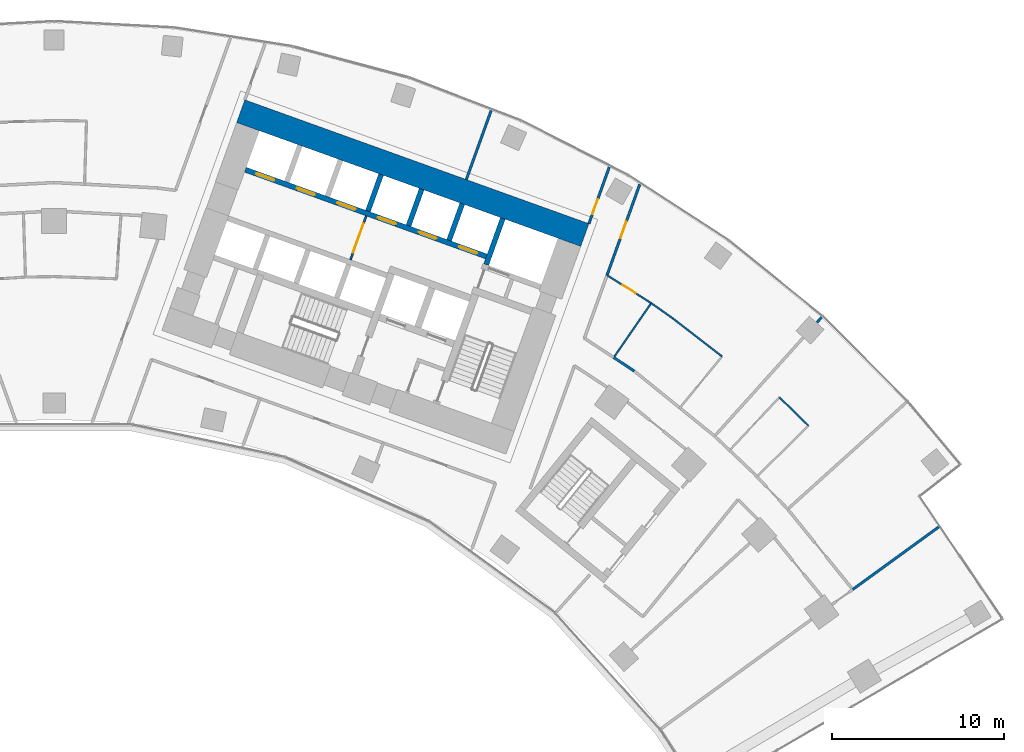
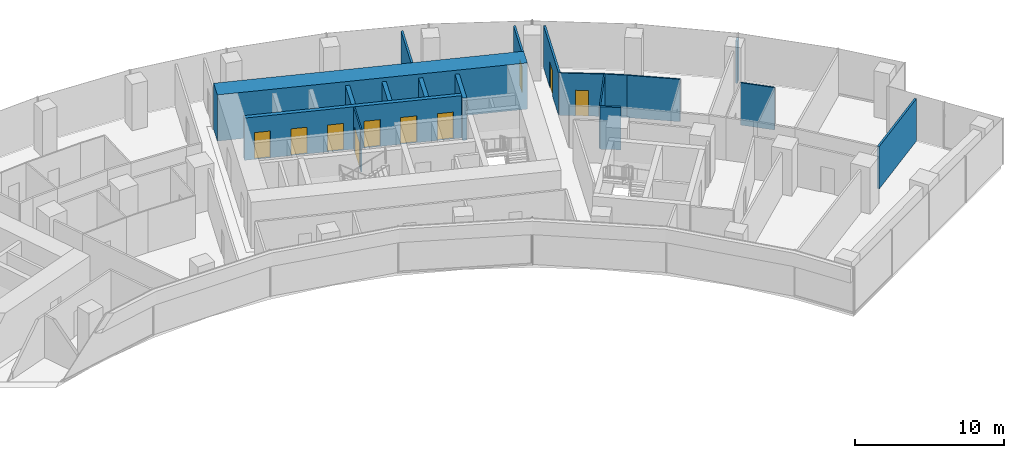
# One storey, part 18 of 21: 18 walls, 10 doors, 10 openings.
"""IFC4 building model written with IfcOpenShell, lengths in metres."""

from ifc_helpers import new_model, si_unit, direction, frame, frame_2d, origin, place, context, subcontext, project, spatial, rectangle, extrude, material, layer, layer_set, type_object, element, fill, save


model = new_model("IFC4")

# Units and contexts
model_context = context("Model", 3, precision=1e-05, world=origin(), true_north=direction((0.0, 1.0)))
body_context = subcontext(model_context, "Body", "Model", "MODEL_VIEW")
ifc_project = project(units=[si_unit("LENGTHUNIT", "METRE"), si_unit("AREAUNIT", "SQUARE_METRE"), si_unit("VOLUMEUNIT", "CUBIC_METRE"), si_unit("PLANEANGLEUNIT", "RADIAN"), si_unit("MASSUNIT", "GRAM", prefix="KILO")], contexts=[model_context])

# Site, building, storey
site_placement = place(None, origin())
site = spatial("IfcSite", under=ifc_project, at=site_placement, CompositionType="ELEMENT")
building_placement = place(site_placement, origin())
building = spatial("IfcBuilding", under=site, at=building_placement, Name="Stone Belt Terrace Tower", CompositionType="ELEMENT")
storey_placement = place(building_placement, frame((0.0, 0.0, 113.60009765625)))
storey = spatial("IfcBuildingStorey", under=building, at=storey_placement, Name="L27", CompositionType="ELEMENT", Elevation=113.60009765625)

# Wall, opening, door
ifc_material_1 = material(Name="Plasterboard partition")
ifc_layer_1 = layer(ifc_material_1, 0.10009765625)
ifc_layer_set_1 = layer_set([ifc_layer_1], Name="Core partition 100")
wall_type_1 = type_object("IfcWallType", Name="Core partition 100", PredefinedType="PARTITIONING", material=ifc_layer_set_1)
wall_1_placement = place(storey_placement, frame((17.17724609375, 52.749755859375, 0.0), z_axis=(0.0, 0.0, 1.0), x_axis=(0.338546555931, 0.940949642365, 0.0)))
wall_1 = element("IfcWall", 1, at=wall_1_placement, inside=storey, type_object=wall_type_1, Name="Core B wall", PredefinedType="PARTITIONING", context=body_context, shape_type="SweptSolid", body=[
    extrude(rectangle(XDim=2.699951171875, YDim=0.10009765625, at=frame_2d((1.35009765625, 0.0))), origin(), (0.0, 0.0, 1.0), 3.47998046875),
])
opening_1_placement = place(wall_1_placement, frame((0.449951171875, 0.0, 0.0)))
opening_1 = element("IfcOpeningElement", 2, at=opening_1_placement, cuts=wall_1, Name="Opening L27-C14", PredefinedType="OPENING", context=body_context, shape_type="SweptSolid", body=[
    extrude(rectangle(XDim=1.800048828125, YDim=2.10009765625, at=frame_2d((0.89990234375, 1.050048828125))), frame((0.0, 0.06005859375, 0.0), z_axis=(0.0, -1.0, 0.0), x_axis=(1.0, 0.0, 0.0)), (0.0, 0.0, 1.0), 0.1201171875),
])
ifc_material_2 = material(Name="Glazed aluminium door leaf", Category="aluminium")
door_type_1 = type_object("IfcDoorType", Name="Lift lobby entrance door 1800", OperationType="DOUBLE_DOOR_SINGLE_SWING", PredefinedType="DOOR", material=ifc_material_2)
door_1_placement = place(opening_1_placement, origin())
door_1 = element("IfcDoor", 3, at=door_1_placement, inside=storey, type_object=door_type_1, Name="Lift lobby double door core B", OperationType="DOUBLE_DOOR_SINGLE_SWING", OverallHeight=2.10009765625, OverallWidth=1.800048828125, PredefinedType="DOOR", context=body_context, shape_type="SweptSolid", body=[
    extrude(rectangle(XDim=1.800048828125, YDim=2.10009765625, at=frame_2d((0.89990234375, 1.050048828125))), frame((0.0, 0.02490234375, 0.0), z_axis=(0.0, -1.0, 0.0), x_axis=(1.0, 0.0, 0.0)), (0.0, 0.0, 1.0), 0.050048828125),
])
fill(opening_1, door_1)

# Walls
ifc_material_3 = material(Name="Concrete B80", Category="concrete")
ifc_layer_2 = layer(ifc_material_3, 1.39990234375)
ifc_layer_set_2 = layer_set([ifc_layer_2], Name="Core wall 1400 B80")
wall_type_2 = type_object("IfcWallType", Name="Core wall 1400 B80", PredefinedType="SHEAR", material=ifc_layer_set_2)
wall_2_placement = place(storey_placement, frame((10.81787109375, 61.362060546875, 0.0), z_axis=(0.0, 0.0, 1.0), x_axis=(0.940919704758, -0.338629752382, 0.0)))
element("IfcWall", 4, at=wall_2_placement, inside=storey, type_object=wall_type_2, Name="Core B wall convex L27", PredefinedType="SHEAR", context=body_context, shape_type="SweptSolid", body=[
    extrude(rectangle(XDim=21.199951171875, YDim=1.39990234375, at=frame_2d((10.60009765625, 0.0))), origin(), (0.0, 0.0, 1.0), 3.7998046875),
])
ifc_layer_3 = layer(ifc_material_3, 0.300048828125)
ifc_layer_set_3 = layer_set([ifc_layer_3], Name="Lift shaft wall 300")
wall_type_3 = type_object("IfcWallType", Name="Lift shaft wall 300", PredefinedType="SHEAR", material=ifc_layer_set_3)
wall_3_placement = place(storey_placement, frame((25.046875, 52.46826171875, 0.0), z_axis=(0.0, 0.0, 1.0), x_axis=(0.338549588058, 0.940948551423, 0.0)))
element("IfcWall", 5, at=wall_3_placement, inside=storey, type_object=wall_type_3, Name="Core B wall", PredefinedType="SHEAR", context=body_context, shape_type="SweptSolid", body=[
    extrude(rectangle(XDim=2.849853515625, YDim=0.300048828125, at=frame_2d((1.4248046875, 0.0))), origin(), (0.0, 0.0, 1.0), 3.47998046875),
])

# Wall, openings, doors
wall_4_placement = place(storey_placement, frame((25.05810546875, 52.9423828125, 0.0), z_axis=(0.0, 0.0, 1.0), x_axis=(-0.940918215764, 0.338633889685, 0.0)))
wall_4 = element("IfcWall", 6, at=wall_4_placement, inside=storey, type_object=wall_type_3, Name="Core B wall", PredefinedType="SHEAR", context=body_context, shape_type="SweptSolid", body=[
    extrude(rectangle(XDim=14.850341796875, YDim=0.300048828125, at=frame_2d((7.42529296875, 0.0))), origin(), (0.0, 0.0, 1.0), 3.47998046875),
])
opening_2_placement = place(wall_4_placement, frame((0.570068359375, 0.0, 0.0)))
opening_2 = element("IfcOpeningElement", 7, at=opening_2_placement, cuts=wall_4, Name="Opening L27-LD10", PredefinedType="OPENING", context=body_context, shape_type="SweptSolid", body=[
    extrude(rectangle(XDim=1.10009765625, YDim=2.199951171875, at=frame_2d((0.550048828125, 1.10009765625))), frame((0.0, 0.159912109375, 0.0), z_axis=(0.0, -1.0, 0.0), x_axis=(1.0, 0.0, 0.0)), (0.0, 0.0, 1.0), 0.320068359375),
])
opening_3_placement = place(wall_4_placement, frame((3.070068359375, 0.0, 0.0)))
opening_3 = element("IfcOpeningElement", 8, at=opening_3_placement, cuts=wall_4, Name="Opening L27-LD11", PredefinedType="OPENING", context=body_context, shape_type="SweptSolid", body=[
    extrude(rectangle(XDim=1.10009765625, YDim=2.199951171875, at=frame_2d((0.550048828125, 1.10009765625))), frame((0.0, 0.159912109375, 0.0), z_axis=(0.0, -1.0, 0.0), x_axis=(1.0, 0.0, 0.0)), (0.0, 0.0, 1.0), 0.320068359375),
])
opening_4_placement = place(wall_4_placement, frame((5.570068359375, 0.0, 0.0)))
opening_4 = element("IfcOpeningElement", 9, at=opening_4_placement, cuts=wall_4, Name="Opening L27-LD12", PredefinedType="OPENING", context=body_context, shape_type="SweptSolid", body=[
    extrude(rectangle(XDim=1.10009765625, YDim=2.199951171875, at=frame_2d((0.550048828125, 1.10009765625))), frame((0.0, 0.159912109375, 0.0), z_axis=(0.0, -1.0, 0.0), x_axis=(1.0, 0.0, 0.0)), (0.0, 0.0, 1.0), 0.320068359375),
])
opening_5_placement = place(wall_4_placement, frame((8.070068359375, 0.0, 0.0)))
opening_5 = element("IfcOpeningElement", 10, at=opening_5_placement, cuts=wall_4, Name="Opening L27-LD13", PredefinedType="OPENING", context=body_context, shape_type="SweptSolid", body=[
    extrude(rectangle(XDim=1.10009765625, YDim=2.199951171875, at=frame_2d((0.550048828125, 1.10009765625))), frame((0.0, 0.159912109375, 0.0), z_axis=(0.0, -1.0, 0.0), x_axis=(1.0, 0.0, 0.0)), (0.0, 0.0, 1.0), 0.320068359375),
])
opening_6_placement = place(wall_4_placement, frame((10.570068359375, 0.0, 0.0)))
opening_6 = element("IfcOpeningElement", 11, at=opening_6_placement, cuts=wall_4, Name="Opening L27-LD14", PredefinedType="OPENING", context=body_context, shape_type="SweptSolid", body=[
    extrude(rectangle(XDim=1.10009765625, YDim=2.199951171875, at=frame_2d((0.550048828125, 1.10009765625))), frame((0.0, 0.159912109375, 0.0), z_axis=(0.0, -1.0, 0.0), x_axis=(1.0, 0.0, 0.0)), (0.0, 0.0, 1.0), 0.320068359375),
])
opening_7_placement = place(wall_4_placement, frame((13.070068359375, 0.0, 0.0)))
opening_7 = element("IfcOpeningElement", 12, at=opening_7_placement, cuts=wall_4, Name="Opening L27-LD15", PredefinedType="OPENING", context=body_context, shape_type="SweptSolid", body=[
    extrude(rectangle(XDim=1.10009765625, YDim=2.199951171875, at=frame_2d((0.550048828125, 1.10009765625))), frame((0.0, 0.159912109375, 0.0), z_axis=(0.0, -1.0, 0.0), x_axis=(1.0, 0.0, 0.0)), (0.0, 0.0, 1.0), 0.320068359375),
])
ifc_material_4 = material(Name="Stainless steel door leaf", Category="steel")
door_type_2 = type_object("IfcDoorType", Name="Landing door 1100", OperationType="SLIDING_TO_LEFT", PredefinedType="DOOR", material=ifc_material_4)
door_2_placement = place(opening_2_placement, origin())
door_2 = element("IfcDoor", 13, at=door_2_placement, inside=storey, type_object=door_type_2, Name="Landing door LR1 core B", OperationType="SLIDING_TO_LEFT", OverallHeight=2.199951171875, OverallWidth=1.10009765625, PredefinedType="DOOR", context=body_context, shape_type="SweptSolid", body=[
    extrude(rectangle(XDim=1.10009765625, YDim=2.199951171875, at=frame_2d((0.550048828125, 1.10009765625))), frame((0.0, 0.02490234375, 0.0), z_axis=(0.0, -1.0, 0.0), x_axis=(1.0, 0.0, 0.0)), (0.0, 0.0, 1.0), 0.050048828125),
])
fill(opening_2, door_2)
door_3_placement = place(opening_3_placement, origin())
door_3 = element("IfcDoor", 14, at=door_3_placement, inside=storey, type_object=door_type_2, Name="Landing door LR2 core B", OperationType="SLIDING_TO_LEFT", OverallHeight=2.199951171875, OverallWidth=1.10009765625, PredefinedType="DOOR", context=body_context, shape_type="SweptSolid", body=[
    extrude(rectangle(XDim=1.10009765625, YDim=2.199951171875, at=frame_2d((0.550048828125, 1.10009765625))), frame((0.0, 0.02490234375, 0.0), z_axis=(0.0, -1.0, 0.0), x_axis=(1.0, 0.0, 0.0)), (0.0, 0.0, 1.0), 0.050048828125),
])
fill(opening_3, door_3)
door_4_placement = place(opening_4_placement, origin())
door_4 = element("IfcDoor", 15, at=door_4_placement, inside=storey, type_object=door_type_2, Name="Landing door LR3 core B", OperationType="SLIDING_TO_LEFT", OverallHeight=2.199951171875, OverallWidth=1.10009765625, PredefinedType="DOOR", context=body_context, shape_type="SweptSolid", body=[
    extrude(rectangle(XDim=1.10009765625, YDim=2.199951171875, at=frame_2d((0.550048828125, 1.10009765625))), frame((0.0, 0.02490234375, 0.0), z_axis=(0.0, -1.0, 0.0), x_axis=(1.0, 0.0, 0.0)), (0.0, 0.0, 1.0), 0.050048828125),
])
fill(opening_4, door_4)
door_5_placement = place(opening_5_placement, origin())
door_5 = element("IfcDoor", 16, at=door_5_placement, inside=storey, type_object=door_type_2, Name="Landing door LR4 core B", OperationType="SLIDING_TO_LEFT", OverallHeight=2.199951171875, OverallWidth=1.10009765625, PredefinedType="DOOR", context=body_context, shape_type="SweptSolid", body=[
    extrude(rectangle(XDim=1.10009765625, YDim=2.199951171875, at=frame_2d((0.550048828125, 1.10009765625))), frame((0.0, 0.02490234375, 0.0), z_axis=(0.0, -1.0, 0.0), x_axis=(1.0, 0.0, 0.0)), (0.0, 0.0, 1.0), 0.050048828125),
])
fill(opening_5, door_5)
door_6_placement = place(opening_6_placement, origin())
door_6 = element("IfcDoor", 17, at=door_6_placement, inside=storey, type_object=door_type_2, Name="Landing door LR5 core B", OperationType="SLIDING_TO_LEFT", OverallHeight=2.199951171875, OverallWidth=1.10009765625, PredefinedType="DOOR", context=body_context, shape_type="SweptSolid", body=[
    extrude(rectangle(XDim=1.10009765625, YDim=2.199951171875, at=frame_2d((0.550048828125, 1.10009765625))), frame((0.0, 0.02490234375, 0.0), z_axis=(0.0, -1.0, 0.0), x_axis=(1.0, 0.0, 0.0)), (0.0, 0.0, 1.0), 0.050048828125),
])
fill(opening_6, door_6)
door_7_placement = place(opening_7_placement, origin())
door_7 = element("IfcDoor", 18, at=door_7_placement, inside=storey, type_object=door_type_2, Name="Landing door LR6 core B", OperationType="SLIDING_TO_LEFT", OverallHeight=2.199951171875, OverallWidth=1.10009765625, PredefinedType="DOOR", context=body_context, shape_type="SweptSolid", body=[
    extrude(rectangle(XDim=1.10009765625, YDim=2.199951171875, at=frame_2d((0.550048828125, 1.10009765625))), frame((0.0, 0.02490234375, 0.0), z_axis=(0.0, -1.0, 0.0), x_axis=(1.0, 0.0, 0.0)), (0.0, 0.0, 1.0), 0.050048828125),
])
fill(opening_7, door_7)

# Walls
wall_5_placement = place(storey_placement, frame((22.897705078125, 53.87939453125, 0.0), z_axis=(0.0, 0.0, 1.0), x_axis=(0.338535034312, 0.940953787677, 0.0)))
element("IfcWall", 19, at=wall_5_placement, inside=storey, type_object=wall_type_3, Name="Core B wall", PredefinedType="SHEAR", context=body_context, shape_type="SweptSolid", body=[
    extrude(rectangle(XDim=2.25, YDim=0.300048828125, at=frame_2d((1.125, 0.0))), origin(), (0.0, 0.0, 1.0), 3.47998046875),
])
wall_6_placement = place(storey_placement, frame((20.54541015625, 54.72607421875, 0.0), z_axis=(0.0, 0.0, 1.0), x_axis=(0.338569601369, 0.940941350472, 0.0)))
element("IfcWall", 20, at=wall_6_placement, inside=storey, type_object=wall_type_3, Name="Core B wall", PredefinedType="SHEAR", context=body_context, shape_type="SweptSolid", body=[
    extrude(rectangle(XDim=2.249755859375, YDim=0.300048828125, at=frame_2d((1.125, 0.0))), origin(), (0.0, 0.0, 1.0), 3.47998046875),
])
wall_7_placement = place(storey_placement, frame((18.193115234375, 55.572509765625, 0.0), z_axis=(0.0, 0.0, 1.0), x_axis=(0.338535034312, 0.940953787677, 0.0)))
element("IfcWall", 21, at=wall_7_placement, inside=storey, type_object=wall_type_3, Name="Core B wall", PredefinedType="SHEAR", context=body_context, shape_type="SweptSolid", body=[
    extrude(rectangle(XDim=2.25, YDim=0.300048828125, at=frame_2d((1.125, 0.0))), origin(), (0.0, 0.0, 1.0), 3.47998046875),
])

# Wall, opening, door
ifc_material_5 = material(Name="Gypsum board partition")
ifc_layer_4 = layer(ifc_material_5, 0.10009765625)
ifc_layer_set_4 = layer_set([ifc_layer_4], Name="PARTITION 100")
wall_type_4 = type_object("IfcWallType", Name="PARTITION 100", PredefinedType="PARTITIONING", material=ifc_layer_set_4)
wall_8_placement = place(storey_placement, frame((34.614013671875, 50.237060546875, 0.0), z_axis=(0.0, 0.0, 1.0), x_axis=(-0.845571256143, 0.533862576686, 0.0)))
wall_8 = element("IfcWall", 22, at=wall_8_placement, inside=storey, type_object=wall_type_4, Name="L27/wall/i074", PredefinedType="PARTITIONING", context=body_context, shape_type="SweptSolid", body=[
    extrude(rectangle(XDim=3.02880859375, YDim=0.10009765625, at=frame_2d((1.514404296875, 0.0))), origin(), (0.0, 0.0, 1.0), 3.47998046875),
])
opening_8_placement = place(wall_8_placement, frame((1.064453125, 0.0, 0.0)))
opening_8 = element("IfcOpeningElement", 23, at=opening_8_placement, cuts=wall_8, Name="Opening D-B4-23", PredefinedType="OPENING", context=body_context, shape_type="SweptSolid", body=[
    extrude(rectangle(XDim=0.89990234375, YDim=2.10009765625, at=frame_2d((0.449951171875, 1.050048828125))), frame((0.0, 0.06005859375, 0.0), z_axis=(0.0, -1.0, 0.0), x_axis=(1.0, 0.0, 0.0)), (0.0, 0.0, 1.0), 0.1201171875),
])
ifc_material_6 = material(Name="Timber door leaf", Category="wood")
door_type_3 = type_object("IfcDoorType", Name="OFFICE DOOR 900 X 2100", OperationType="NOTDEFINED", PredefinedType="DOOR", material=ifc_material_6)
door_8_placement = place(opening_8_placement, origin())
door_8 = element("IfcDoor", 24, at=door_8_placement, inside=storey, type_object=door_type_3, Name="L27/door/i23", OperationType="SINGLE_SWING_RIGHT", OverallHeight=2.10009765625, OverallWidth=0.89990234375, PredefinedType="DOOR", context=body_context, shape_type="SweptSolid", body=[
    extrude(rectangle(XDim=0.89990234375, YDim=2.10009765625, at=frame_2d((0.449951171875, 1.050048828125))), frame((0.0, 0.02490234375, 0.0), z_axis=(0.0, -1.0, 0.0), x_axis=(1.0, 0.0, 0.0)), (0.0, 0.0, 1.0), 0.050048828125),
])
fill(opening_8, door_8)

# Walls
wall_9_placement = place(storey_placement, frame((38.719970703125, 47.14501953125, 0.0), z_axis=(0.0, 0.0, 1.0), x_axis=(-0.79127163688, 0.611464795937, 0.0)))
element("IfcWall", 25, at=wall_9_placement, inside=storey, type_object=wall_type_4, Name="L27/wall/i076", PredefinedType="PARTITIONING", context=body_context, shape_type="SweptSolid", body=[
    extrude(rectangle(XDim=3.61572265625, YDim=0.10009765625, at=frame_2d((1.807861328125, 0.0))), origin(), (0.0, 0.0, 1.0), 3.47998046875),
])
wall_10_placement = place(storey_placement, frame((35.85888671875, 49.35595703125, 0.0), z_axis=(0.0, 0.0, 1.0), x_axis=(-0.816235210983, 0.577719724738, 0.0)))
element("IfcWall", 26, at=wall_10_placement, inside=storey, type_object=wall_type_4, Name="L27/wall/i077", PredefinedType="PARTITIONING", context=body_context, shape_type="SweptSolid", body=[
    extrude(rectangle(XDim=1.525146484375, YDim=0.10009765625, at=frame_2d((0.7626953125, 0.0))), origin(), (0.0, 0.0, 1.0), 3.47998046875),
])
wall_11_placement = place(storey_placement, frame((34.614013671875, 50.237060546875, 0.0), z_axis=(0.0, 0.0, 1.0), x_axis=(-0.567359028554, -0.8234705415, 0.0)))
element("IfcWall", 27, at=wall_11_placement, inside=storey, type_object=wall_type_4, Name="L27/wall/i080", PredefinedType="PARTITIONING", context=body_context, shape_type="SweptSolid", body=[
    extrude(rectangle(XDim=3.830078125, YDim=0.10009765625, at=frame_2d((1.9150390625, 0.0))), origin(), (0.0, 0.0, 1.0), 3.47998046875),
])
wall_12_placement = place(storey_placement, frame((43.73193359375, 43.1298828125, 0.0), z_axis=(0.0, 0.0, 1.0), x_axis=(-0.715754165889, 0.698352327992, 0.0)))
element("IfcWall", 28, at=wall_12_placement, inside=storey, type_object=wall_type_4, Name="L27/wall/i082", PredefinedType="PARTITIONING", context=body_context, shape_type="SweptSolid", body=[
    extrude(rectangle(XDim=2.35693359375, YDim=0.10009765625, at=frame_2d((1.178466796875, 0.0))), origin(), (0.0, 0.0, 1.0), 3.47998046875),
])

# Wall, opening, door
ifc_layer_5 = layer(ifc_material_5, 0.14990234375)
ifc_layer_set_5 = layer_set([ifc_layer_5], Name="PARTITION 150 EI 60")
wall_type_5 = type_object("IfcWallType", Name="PARTITION 150 EI 60", PredefinedType="PARTITIONING", material=ifc_layer_set_5)
wall_13_placement = place(storey_placement, frame((31.001953125, 54.842041015625, 0.0), z_axis=(0.0, 0.0, 1.0), x_axis=(0.338662585219, 0.940907887826, 0.0)))
wall_13 = element("IfcWall", 29, at=wall_13_placement, inside=storey, type_object=wall_type_5, Name="L27/wall/i026", PredefinedType="PARTITIONING", context=body_context, shape_type="SweptSolid", body=[
    extrude(rectangle(XDim=3.49560546875, YDim=0.14990234375, at=frame_2d((1.747802734375, 0.0))), origin(), (0.0, 0.0, 1.0), 3.47998046875),
])
opening_9_placement = place(wall_13_placement, frame((0.599365234375, 0.0, 0.0)))
opening_9 = element("IfcOpeningElement", 30, at=opening_9_placement, cuts=wall_13, Name="Opening D-B4-10", PredefinedType="OPENING", context=body_context, shape_type="SweptSolid", body=[
    extrude(rectangle(XDim=0.89990234375, YDim=2.10009765625, at=frame_2d((0.449951171875, 1.050048828125))), frame((0.0, 0.0849609375, 0.0), z_axis=(0.0, -1.0, 0.0), x_axis=(1.0, 0.0, 0.0)), (0.0, 0.0, 1.0), 0.169921875),
])
door_9_placement = place(opening_9_placement, origin())
door_9 = element("IfcDoor", 31, at=door_9_placement, inside=storey, type_object=door_type_3, Name="L27/door/i10", OperationType="SINGLE_SWING_LEFT", OverallHeight=2.10009765625, OverallWidth=0.89990234375, PredefinedType="DOOR", context=body_context, shape_type="SweptSolid", body=[
    extrude(rectangle(XDim=0.89990234375, YDim=2.10009765625, at=frame_2d((0.449951171875, 1.050048828125))), frame((0.0, 0.02490234375, 0.0), z_axis=(0.0, -1.0, 0.0), x_axis=(1.0, 0.0, 0.0)), (0.0, 0.0, 1.0), 0.050048828125),
])
fill(opening_9, door_9)

wall_14_placement = place(storey_placement, frame((33.951904296875, 57.131103515625, 0.0), z_axis=(0.0, 0.0, 1.0), x_axis=(-0.338550092768, -0.940948369831, 0.0)))
wall_14 = element("IfcWall", 32, at=wall_14_placement, inside=storey, type_object=wall_type_5, Name="L27/wall/i029", PredefinedType="PARTITIONING", context=body_context, shape_type="SweptSolid", body=[
    extrude(rectangle(XDim=5.61474609375, YDim=0.14990234375, at=frame_2d((2.807373046875, 0.0))), origin(), (0.0, 0.0, 1.0), 3.47998046875),
])
opening_10_placement = place(wall_14_placement, frame((2.307373046875, 0.0, 0.0)))
opening_10 = element("IfcOpeningElement", 33, at=opening_10_placement, cuts=wall_14, Name="Opening D-B4-22", PredefinedType="OPENING", context=body_context, shape_type="SweptSolid", body=[
    extrude(rectangle(XDim=1.0, YDim=2.10009765625, at=frame_2d((0.5, 1.050048828125))), frame((0.0, 0.0849609375, 0.0), z_axis=(0.0, -1.0, 0.0), x_axis=(1.0, 0.0, 0.0)), (0.0, 0.0, 1.0), 0.169921875),
])
ifc_material_7 = material(Name="Timber fire door leaf", Category="wood")
door_type_4 = type_object("IfcDoorType", Name="TENANCY ENTRANCE DOOR 1000 X 2100", OperationType="NOTDEFINED", PredefinedType="DOOR", material=ifc_material_7)
door_10_placement = place(opening_10_placement, origin())
door_10 = element("IfcDoor", 34, at=door_10_placement, inside=storey, type_object=door_type_4, Name="L27/door/i22", OperationType="SINGLE_SWING_RIGHT", OverallHeight=2.10009765625, OverallWidth=1.0, PredefinedType="DOOR", context=body_context, shape_type="SweptSolid", body=[
    extrude(rectangle(XDim=1.0, YDim=2.10009765625, at=frame_2d((0.5, 1.050048828125))), frame((0.0, 0.02490234375, 0.0), z_axis=(0.0, -1.0, 0.0), x_axis=(1.0, 0.0, 0.0)), (0.0, 0.0, 1.0), 0.050048828125),
])
fill(opening_10, door_10)

# Walls
wall_15_placement = place(storey_placement, frame((25.3359375, 61.406982421875, 0.0), z_axis=(0.0, 0.0, 1.0), x_axis=(-0.338583451115, -0.94093636694, 0.0)))
element("IfcWall", 35, at=wall_15_placement, inside=storey, type_object=wall_type_5, Name="L27/wall/i036", PredefinedType="PARTITIONING", context=body_context, shape_type="SweptSolid", body=[
    extrude(rectangle(XDim=4.258544921875, YDim=0.14990234375, at=frame_2d((2.12939453125, 0.0))), origin(), (0.0, 0.0, 1.0), 3.47998046875),
])
wall_16_placement = place(storey_placement, frame((46.291015625, 33.632080078125, 0.0), z_axis=(0.0, 0.0, 1.0), x_axis=(0.809007988274, 0.587797647927, 0.0)))
element("IfcWall", 36, at=wall_16_placement, inside=storey, type_object=wall_type_5, Name="L27/wall/i056", PredefinedType="PARTITIONING", context=body_context, shape_type="SweptSolid", body=[
    extrude(rectangle(XDim=6.171630859375, YDim=0.14990234375, at=frame_2d((3.0859375, 0.0))), origin(), (0.0, 0.0, 1.0), 3.47998046875),
])
wall_17_placement = place(storey_placement, frame((32.43603515625, 47.0859375, 0.0), z_axis=(0.0, 0.0, 1.0), x_axis=(0.835226071564, -0.549906727891, 0.0)))
element("IfcWall", 37, at=wall_17_placement, inside=storey, type_object=wall_type_5, Name="L27/wall/i061", PredefinedType="PARTITIONING", context=body_context, shape_type="SweptSolid", body=[
    extrude(rectangle(XDim=1.436767578125, YDim=0.14990234375, at=frame_2d((0.71826171875, 0.0))), origin(), (0.0, 0.0, 1.0), 3.47998046875),
])
wall_18_placement = place(storey_placement, frame((44.496826171875, 49.41943359375, 0.0), z_axis=(0.0, 0.0, 1.0), x_axis=(-0.668865119487, -0.74338378509, 0.0)))
element("IfcWall", 38, at=wall_18_placement, inside=storey, type_object=wall_type_5, Name="L27/wall/i078", PredefinedType="PARTITIONING", context=body_context, shape_type="SweptSolid", body=[
    extrude(rectangle(XDim=0.40625, YDim=0.14990234375, at=frame_2d((0.203125, 0.0))), origin(), (0.0, 0.0, 1.0), 3.47998046875),
])

save(model, "model.ifc")
